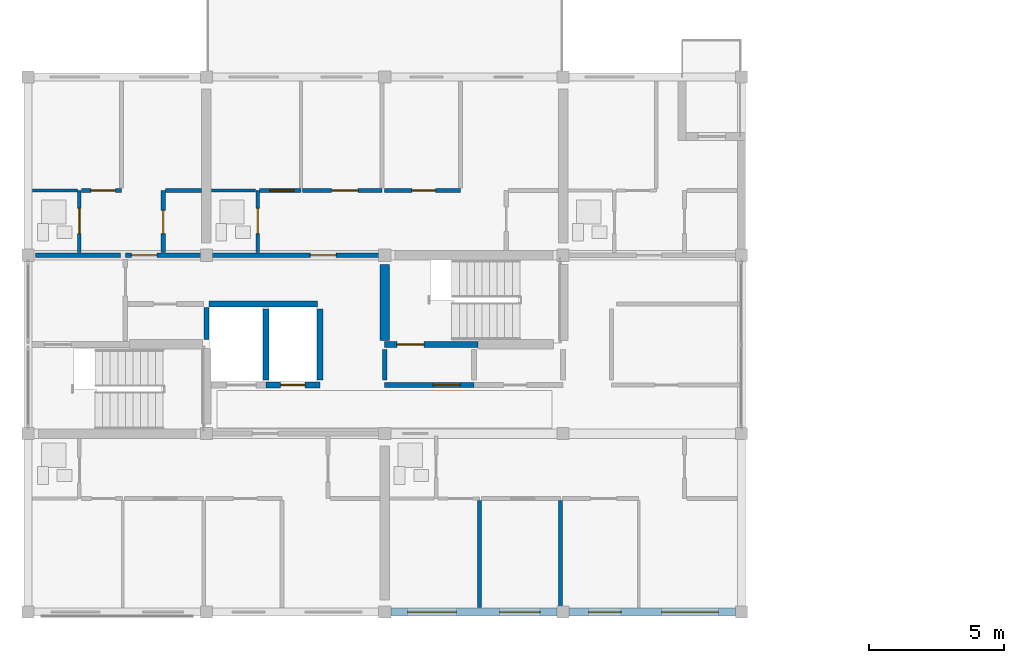
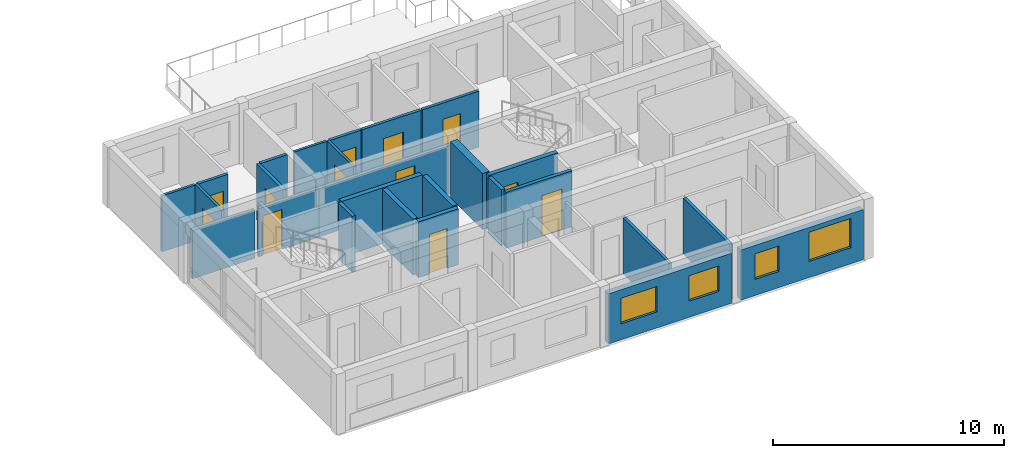
# One storey, part 27 of 51: 26 walls, 12 doors, 4 windows, 16 openings.
"""IFC4 building model written with IfcOpenShell, lengths in metres."""

from ifc_helpers import new_model, si_unit, direction, frame, frame_2d, origin, place, context, subcontext, project, spatial, rectangle, extrude, material, layer, layer_set, type_object, element, fill, save


model = new_model("IFC4")

# Units and contexts
model_context = context("Model", 3, precision=1e-05, world=origin(), true_north=direction((0.0, 1.0)))
body_context = subcontext(model_context, "Body", "Model", "MODEL_VIEW")
ifc_project = project(units=[si_unit("LENGTHUNIT", "METRE"), si_unit("AREAUNIT", "SQUARE_METRE"), si_unit("VOLUMEUNIT", "CUBIC_METRE"), si_unit("PLANEANGLEUNIT", "RADIAN"), si_unit("MASSUNIT", "GRAM", prefix="KILO")], contexts=[model_context])

# Site, building, storey
site_placement = place(None, origin())
site = spatial("IfcSite", under=ifc_project, at=site_placement, CompositionType="ELEMENT")
building_placement = place(site_placement, origin())
building = spatial("IfcBuilding", under=site, at=building_placement, Name="Kernevlak Ridge Housing Community", CompositionType="ELEMENT")
storey_placement = place(building_placement, frame((0.0, 0.0, 8.39990234375)))
storey = spatial("IfcBuildingStorey", under=building, at=storey_placement, Name="L02", CompositionType="ELEMENT", Elevation=8.39990234375)

# Wall, openings, windows
ifc_material_1 = material(Name="Concrete block masonry M10", Category="masonry")
ifc_layer_1 = layer(ifc_material_1, 0.300048828125, Name="Concrete block masonry M10")
ifc_layer_set_1 = layer_set([ifc_layer_1], Name="Concrete block masonry M10")
wall_type_1 = type_object("IfcWallType", Name="EW-01", PredefinedType="STANDARD", material=ifc_layer_set_1)
wall_1_placement = place(storey_placement, frame((29.02490234375, 15.60009765625, 0.0), z_axis=(0.0, 0.0, 1.0), x_axis=(1.0, 0.0, 0.0)))
wall_1 = element("IfcWall", 1, at=wall_1_placement, inside=storey, type_object=wall_type_1, Name="Exterior wall EW-01 L02 741", PredefinedType="STANDARD", context=body_context, shape_type="SweptSolid", body=[
    extrude(rectangle(XDim=6.150146484375, YDim=0.300048828125, at=frame_2d((3.0751953125, 0.0))), origin(), (0.0, 0.0, 1.0), 2.650146484375),
])
opening_1_placement = place(wall_1_placement, frame((0.625, 0.0, 0.85009765625)))
opening_1 = element("IfcOpeningElement", 2, at=opening_1_placement, cuts=wall_1, Name="Opening WT-03", PredefinedType="OPENING", context=body_context, shape_type="SweptSolid", body=[
    extrude(rectangle(XDim=1.800048828125, YDim=1.35009765625, at=frame_2d((0.89990234375, 0.675048828125))), frame((0.0, 0.159912109375, 0.0), z_axis=(0.0, -1.0, 0.0), x_axis=(1.0, 0.0, 0.0)), (0.0, 0.0, 1.0), 0.320068359375),
])
opening_2_placement = place(wall_1_placement, frame((4.02490234375, 0.0, 0.85009765625)))
opening_2 = element("IfcOpeningElement", 3, at=opening_2_placement, cuts=wall_1, Name="Opening WT-02", PredefinedType="OPENING", context=body_context, shape_type="SweptSolid", body=[
    extrude(rectangle(XDim=1.5, YDim=1.35009765625, at=frame_2d((0.75, 0.675048828125))), frame((0.0, 0.159912109375, 0.0), z_axis=(0.0, -1.0, 0.0), x_axis=(1.0, 0.0, 0.0)), (0.0, 0.0, 1.0), 0.320068359375),
])
ifc_material_2 = material(Name="Aluminium EN AW-6060 anodised and laminated glass", Category="aluminium")
window_type_1 = type_object("IfcWindowType", Name="WT-02", PartitioningType="SINGLE_PANEL", PredefinedType="WINDOW", material=ifc_material_2)
window_1_placement = place(opening_2_placement, origin())
window_1 = element("IfcWindow", 4, at=window_1_placement, inside=storey, type_object=window_type_1, Name="Window WT-02 L02 611", OverallHeight=1.35009765625, OverallWidth=1.5, PartitioningType="SINGLE_PANEL", PredefinedType="WINDOW", context=body_context, shape_type="SweptSolid", body=[
    extrude(rectangle(XDim=1.5, YDim=1.35009765625, at=frame_2d((0.75, 0.675048828125))), frame((0.0, 0.030029296875, 0.0), z_axis=(0.0, -1.0, 0.0), x_axis=(1.0, 0.0, 0.0)), (0.0, 0.0, 1.0), 0.06005859375),
])
fill(opening_2, window_1)
window_type_2 = type_object("IfcWindowType", Name="WT-03", PartitioningType="SINGLE_PANEL", PredefinedType="WINDOW", material=ifc_material_2)
window_2_placement = place(opening_1_placement, origin())
window_2 = element("IfcWindow", 5, at=window_2_placement, inside=storey, type_object=window_type_2, Name="Window WT-03 L02 610", OverallHeight=1.35009765625, OverallWidth=1.800048828125, PartitioningType="SINGLE_PANEL", PredefinedType="WINDOW", context=body_context, shape_type="SweptSolid", body=[
    extrude(rectangle(XDim=1.800048828125, YDim=1.35009765625, at=frame_2d((0.89990234375, 0.675048828125))), frame((0.0, 0.030029296875, 0.0), z_axis=(0.0, -1.0, 0.0), x_axis=(1.0, 0.0, 0.0)), (0.0, 0.0, 1.0), 0.06005859375),
])
fill(opening_1, window_2)

wall_2_placement = place(storey_placement, frame((35.625, 15.60009765625, 0.0), z_axis=(0.0, 0.0, 1.0), x_axis=(1.0, 0.0, 0.0)))
wall_2 = element("IfcWall", 6, at=wall_2_placement, inside=storey, type_object=wall_type_1, Name="Exterior wall EW-01 L02 742", PredefinedType="STANDARD", context=body_context, shape_type="SweptSolid", body=[
    extrude(rectangle(XDim=6.14990234375, YDim=0.300048828125, at=frame_2d((3.074951171875, 0.0))), origin(), (0.0, 0.0, 1.0), 2.650146484375),
])
opening_3_placement = place(wall_2_placement, frame((0.72509765625, 0.0, 0.85009765625)))
opening_3 = element("IfcOpeningElement", 7, at=opening_3_placement, cuts=wall_2, Name="Opening WT-01", PredefinedType="OPENING", context=body_context, shape_type="SweptSolid", body=[
    extrude(rectangle(XDim=1.199951171875, YDim=1.35009765625, at=frame_2d((0.60009765625, 0.675048828125))), frame((0.0, 0.159912109375, 0.0), z_axis=(0.0, -1.0, 0.0), x_axis=(1.0, 0.0, 0.0)), (0.0, 0.0, 1.0), 0.320068359375),
])
opening_4_placement = place(wall_2_placement, frame((3.425048828125, 0.0, 0.85009765625)))
opening_4 = element("IfcOpeningElement", 8, at=opening_4_placement, cuts=wall_2, Name="Opening WT-05", PredefinedType="OPENING", context=body_context, shape_type="SweptSolid", body=[
    extrude(rectangle(XDim=2.10009765625, YDim=1.550048828125, at=frame_2d((1.050048828125, 0.77490234375))), frame((0.0, 0.159912109375, 0.0), z_axis=(0.0, -1.0, 0.0), x_axis=(1.0, 0.0, 0.0)), (0.0, 0.0, 1.0), 0.320068359375),
])
window_type_3 = type_object("IfcWindowType", Name="WT-01", PartitioningType="SINGLE_PANEL", PredefinedType="WINDOW", material=ifc_material_2)
window_3_placement = place(opening_3_placement, origin())
window_3 = element("IfcWindow", 9, at=window_3_placement, inside=storey, type_object=window_type_3, Name="Window WT-01 L02 612", OverallHeight=1.35009765625, OverallWidth=1.199951171875, PartitioningType="SINGLE_PANEL", PredefinedType="WINDOW", context=body_context, shape_type="SweptSolid", body=[
    extrude(rectangle(XDim=1.199951171875, YDim=1.35009765625, at=frame_2d((0.60009765625, 0.675048828125))), frame((0.0, 0.030029296875, 0.0), z_axis=(0.0, -1.0, 0.0), x_axis=(1.0, 0.0, 0.0)), (0.0, 0.0, 1.0), 0.06005859375),
])
fill(opening_3, window_3)
window_type_4 = type_object("IfcWindowType", Name="WT-05", PartitioningType="SINGLE_PANEL", PredefinedType="WINDOW", material=ifc_material_2)
window_4_placement = place(opening_4_placement, origin())
window_4 = element("IfcWindow", 10, at=window_4_placement, inside=storey, type_object=window_type_4, Name="Window WT-05 L02 613", OverallHeight=1.550048828125, OverallWidth=2.10009765625, PartitioningType="SINGLE_PANEL", PredefinedType="WINDOW", context=body_context, shape_type="SweptSolid", body=[
    extrude(rectangle(XDim=2.10009765625, YDim=1.550048828125, at=frame_2d((1.050048828125, 0.77490234375))), frame((0.0, 0.030029296875, 0.0), z_axis=(0.0, -1.0, 0.0), x_axis=(1.0, 0.0, 0.0)), (0.0, 0.0, 1.0), 0.06005859375),
])
fill(opening_4, window_4)

# Wall, opening, door
ifc_material_3 = material(Name="Concrete C35/45", Category="concrete")
ifc_layer_2 = layer(ifc_material_3, 0.22509765625, Name="Concrete C35/45")
ifc_layer_set_2 = layer_set([ifc_layer_2], Name="Concrete C35/45")
wall_type_2 = type_object("IfcWallType", Name="PW-01", PredefinedType="STANDARD", material=ifc_layer_set_2)
wall_3_placement = place(storey_placement, frame((24.39990234375, 24.0, 0.0), z_axis=(0.0, 0.0, 1.0), x_axis=(1.0, 0.0, 0.0)))
wall_3 = element("IfcWall", 11, at=wall_3_placement, inside=storey, type_object=wall_type_2, Name="Interior wall PW-01 WAL-INT-L02-3046", PredefinedType="STANDARD", context=body_context, shape_type="SweptSolid", body=[
    extrude(rectangle(XDim=2.0, YDim=0.22509765625, at=frame_2d((1.0, 0.0))), origin(), (0.0, 0.0, 1.0), 2.960205078125),
])
opening_5_placement = place(wall_3_placement, frame((0.550048828125, 0.0, 0.0)))
opening_5 = element("IfcOpeningElement", 12, at=opening_5_placement, cuts=wall_3, Name="Opening LD83", PredefinedType="OPENING", context=body_context, shape_type="SweptSolid", body=[
    extrude(rectangle(XDim=0.89990234375, YDim=2.10009765625, at=frame_2d((0.449951171875, 1.050048828125))), frame((0.0, 0.12255859375, 0.0), z_axis=(0.0, -1.0, 0.0), x_axis=(1.0, 0.0, 0.0)), (0.0, 0.0, 1.0), 0.2451171875),
])
ifc_material_4 = material(Name="Stainless steel EN 1.4401", Category="steel")
door_type_1 = type_object("IfcDoorType", Name="DT-LD2", OperationType="DOUBLE_DOOR_SLIDING", PredefinedType="DOOR", material=ifc_material_4)
door_1_placement = place(opening_5_placement, origin())
door_1 = element("IfcDoor", 13, at=door_1_placement, inside=storey, type_object=door_type_1, Name="Lift LF-D2 landing door LD83", OperationType="DOUBLE_DOOR_SLIDING", OverallHeight=2.10009765625, OverallWidth=0.89990234375, PredefinedType="DOOR", context=body_context, shape_type="SweptSolid", body=[
    extrude(rectangle(XDim=0.89990234375, YDim=2.10009765625, at=frame_2d((0.449951171875, 1.050048828125))), frame((0.0, 0.02490234375, 0.0), z_axis=(0.0, -1.0, 0.0), x_axis=(1.0, 0.0, 0.0)), (0.0, 0.0, 1.0), 0.050048828125),
])
fill(opening_5, door_1)

# Walls
wall_4_placement = place(storey_placement, frame((22.297607421875, 27.0, 0.0), z_axis=(0.0, 0.0, 1.0), x_axis=(1.0, 0.0, 0.0)))
element("IfcWall", 14, at=wall_4_placement, inside=storey, type_object=wall_type_2, Name="Interior wall PW-01 WAL-INT-L02-3047", PredefinedType="STANDARD", context=body_context, shape_type="SweptSolid", body=[
    extrude(rectangle(XDim=4.0224609375, YDim=0.22509765625, at=frame_2d((2.01123046875, 0.0))), origin(), (0.0, 0.0, 1.0), 2.960205078125),
])
for number, where, z_axis, x_axis, name in (
    (15, (24.39990234375, 24.179931640625, 0.0), (0.0, 0.0, 1.0), (0.0, 1.0, 0.0), "Interior wall PW-01 WAL-INT-L02-3049"),
    (16, (26.39990234375, 24.179931640625, 0.0), (0.0, 0.0, 1.0), (0.0, 1.0, 0.0), "Interior wall PW-01 WAL-INT-L02-3050"),
):
    element("IfcWall", number, at=place(storey_placement, frame(where, z_axis=z_axis, x_axis=x_axis)), inside=storey, type_object=wall_type_2, Name=name, PredefinedType="STANDARD", context=body_context, shape_type="SweptSolid", body=[
        extrude(rectangle(XDim=2.64013671875, YDim=0.22509765625, at=frame_2d((1.320068359375, 0.0))), origin(), (0.0, 0.0, 1.0), 2.960205078125),
    ])

# Wall, opening, door
wall_5_placement = place(storey_placement, frame((28.800048828125, 25.5, 0.0), z_axis=(0.0, 0.0, 1.0), x_axis=(1.0, 0.0, 0.0)))
wall_5 = element("IfcWall", 17, at=wall_5_placement, inside=storey, type_object=wall_type_2, Name="Interior wall PW-01 WAL-INT-L02-3051", PredefinedType="STANDARD", context=body_context, shape_type="SweptSolid", body=[
    extrude(rectangle(XDim=3.449951171875, YDim=0.22509765625, at=frame_2d((1.72509765625, 0.0))), origin(), (0.0, 0.0, 1.0), 2.960205078125),
])
opening_6_placement = place(wall_5_placement, frame((0.449951171875, 0.0, 0.0)))
opening_6 = element("IfcOpeningElement", 18, at=opening_6_placement, cuts=wall_5, Name="Opening E545", PredefinedType="OPENING", context=body_context, shape_type="SweptSolid", body=[
    extrude(rectangle(XDim=1.0, YDim=2.10009765625, at=frame_2d((0.5, 1.050048828125))), frame((0.0, 0.12255859375, 0.0), z_axis=(0.0, -1.0, 0.0), x_axis=(1.0, 0.0, 0.0)), (0.0, 0.0, 1.0), 0.2451171875),
])
ifc_material_5 = material(Name="Fire-rated sheet steel leaf", Category="steel")
door_type_2 = type_object("IfcDoorType", Name="DT-05", OperationType="NOTDEFINED", PredefinedType="DOOR", material=ifc_material_5)
door_2_placement = place(opening_6_placement, origin())
door_2 = element("IfcDoor", 19, at=door_2_placement, inside=storey, type_object=door_type_2, Name="Block D Stair 2 fire door E545", OperationType="SINGLE_SWING_RIGHT", OverallHeight=2.10009765625, OverallWidth=1.0, PredefinedType="DOOR", context=body_context, shape_type="SweptSolid", body=[
    extrude(rectangle(XDim=1.0, YDim=2.10009765625, at=frame_2d((0.5, 1.050048828125))), frame((0.0, 0.02490234375, 0.0), z_axis=(0.0, -1.0, 0.0), x_axis=(1.0, 0.0, 0.0)), (0.0, 0.0, 1.0), 0.050048828125),
])
fill(opening_6, door_2)

# Wall
ifc_layer_3 = layer(ifc_material_1, 0.175048828125, Name="Concrete block masonry M10")
ifc_layer_set_3 = layer_set([ifc_layer_3], Name="Concrete block masonry M10")
wall_type_3 = type_object("IfcWallType", Name="PW-02", PredefinedType="PARTITIONING", material=ifc_layer_set_3)
wall_6_placement = place(storey_placement, frame((22.199951171875, 25.679931640625, 0.0), z_axis=(0.0, 0.0, 1.0), x_axis=(0.0, 1.0, 0.0)))
element("IfcWall", 20, at=wall_6_placement, inside=storey, type_object=wall_type_3, Name="Interior wall PW-02 WAL-INT-L02-3044", PredefinedType="PARTITIONING", context=body_context, shape_type="SweptSolid", body=[
    extrude(rectangle(XDim=1.190185546875, YDim=0.175048828125, at=frame_2d((0.59521484375, 0.0))), origin(), (0.0, 0.0, 1.0), 2.960205078125),
])

# Wall, opening, door
wall_7_placement = place(storey_placement, frame((28.800048828125, 24.0, 0.0), z_axis=(0.0, 0.0, 1.0), x_axis=(1.0, 0.0, 0.0)))
wall_7 = element("IfcWall", 21, at=wall_7_placement, inside=storey, type_object=wall_type_3, Name="Interior wall PW-02 WAL-INT-L02-3052", PredefinedType="PARTITIONING", context=body_context, shape_type="SweptSolid", body=[
    extrude(rectangle(XDim=3.300048828125, YDim=0.175048828125, at=frame_2d((1.64990234375, 0.0))), origin(), (0.0, 0.0, 1.0), 2.960205078125),
])
opening_7_placement = place(wall_7_placement, frame((1.800048828125, 0.0, 0.0)))
opening_7 = element("IfcOpeningElement", 22, at=opening_7_placement, cuts=wall_7, Name="Opening E546", PredefinedType="OPENING", context=body_context, shape_type="SweptSolid", body=[
    extrude(rectangle(XDim=1.0, YDim=2.159912109375, at=frame_2d((0.5, 1.080078125))), frame((0.0, 0.097412109375, 0.0), z_axis=(0.0, -1.0, 0.0), x_axis=(1.0, 0.0, 0.0)), (0.0, 0.0, 1.0), 0.195068359375),
])
door_type_3 = type_object("IfcDoorType", Name="DT-15", OperationType="NOTDEFINED", PredefinedType="DOOR", material=ifc_material_5)
door_3_placement = place(opening_7_placement, origin())
door_3 = element("IfcDoor", 23, at=door_3_placement, inside=storey, type_object=door_type_3, Name="Block D Firefighting lobby 2 door E546", OperationType="SINGLE_SWING_LEFT", OverallHeight=2.159912109375, OverallWidth=1.0, PredefinedType="DOOR", context=body_context, shape_type="SweptSolid", body=[
    extrude(rectangle(XDim=1.0, YDim=2.159912109375, at=frame_2d((0.5, 1.080078125))), frame((0.0, 0.02490234375, 0.0), z_axis=(0.0, -1.0, 0.0), x_axis=(1.0, 0.0, 0.0)), (0.0, 0.0, 1.0), 0.050048828125),
])
fill(opening_7, door_3)

# Walls
wall_8_placement = place(storey_placement, frame((28.800048828125, 24.179931640625, 0.0), z_axis=(0.0, 0.0, 1.0), x_axis=(0.0, 1.0, 0.0)))
element("IfcWall", 24, at=wall_8_placement, inside=storey, type_object=wall_type_3, Name="Interior wall PW-02 WAL-INT-L02-3054", PredefinedType="PARTITIONING", context=body_context, shape_type="SweptSolid", body=[
    extrude(rectangle(XDim=1.14013671875, YDim=0.175048828125, at=frame_2d((0.570068359375, 0.0))), origin(), (0.0, 0.0, 1.0), 2.960205078125),
])
wall_9_placement = place(storey_placement, frame((15.8798828125, 28.800048828125, 0.0), z_axis=(0.0, 0.0, 1.0), x_axis=(1.0, 0.0, 0.0)))
element("IfcWall", 25, at=wall_9_placement, inside=storey, type_object=wall_type_3, Name="Interior wall PW-02 WAL-INT-L02-3082", PredefinedType="PARTITIONING", context=body_context, shape_type="SweptSolid", body=[
    extrude(rectangle(XDim=3.14013671875, YDim=0.175048828125, at=frame_2d((1.570068359375, 0.0))), origin(), (0.0, 0.0, 1.0), 2.550048828125),
])

# Wall, opening, door
wall_10_placement = place(storey_placement, frame((19.199951171875, 28.800048828125, 0.0), z_axis=(0.0, 0.0, 1.0), x_axis=(1.0, 0.0, 0.0)))
wall_10 = element("IfcWall", 26, at=wall_10_placement, inside=storey, type_object=wall_type_3, Name="Interior wall PW-02 WAL-INT-L02-3083", PredefinedType="PARTITIONING", context=body_context, shape_type="SweptSolid", body=[
    extrude(rectangle(XDim=3.0, YDim=0.175048828125, at=frame_2d((1.5, 0.0))), origin(), (0.0, 0.0, 1.0), 2.550048828125),
])
opening_8_placement = place(wall_10_placement, frame((0.219970703125, 0.0, 0.0)))
opening_8 = element("IfcOpeningElement", 27, at=opening_8_placement, cuts=wall_10, Name="Opening E561", PredefinedType="OPENING", context=body_context, shape_type="SweptSolid", body=[
    extrude(rectangle(XDim=0.949951171875, YDim=2.10009765625, at=frame_2d((0.47509765625, 1.050048828125))), frame((0.0, 0.097412109375, 0.0), z_axis=(0.0, -1.0, 0.0), x_axis=(1.0, 0.0, 0.0)), (0.0, 0.0, 1.0), 0.195068359375),
])
ifc_material_6 = material(Name="Hardwood timber solid-core fire leaf", Category="wood")
door_type_4 = type_object("IfcDoorType", Name="DT-01", OperationType="NOTDEFINED", PredefinedType="DOOR", material=ifc_material_6)
door_4_placement = place(opening_8_placement, origin())
door_4 = element("IfcDoor", 28, at=door_4_placement, inside=storey, type_object=door_type_4, Name="Flat D0221 entrance fire door E561", OperationType="SINGLE_SWING_RIGHT", OverallHeight=2.10009765625, OverallWidth=0.949951171875, PredefinedType="DOOR", context=body_context, shape_type="SweptSolid", body=[
    extrude(rectangle(XDim=0.949951171875, YDim=2.10009765625, at=frame_2d((0.47509765625, 1.050048828125))), frame((0.0, 0.02490234375, 0.0), z_axis=(0.0, -1.0, 0.0), x_axis=(1.0, 0.0, 0.0)), (0.0, 0.0, 1.0), 0.050048828125),
])
fill(opening_8, door_4)

wall_11_placement = place(storey_placement, frame((22.199951171875, 28.800048828125, 0.0), z_axis=(0.0, 0.0, 1.0), x_axis=(1.0, 0.0, 0.0)))
wall_11 = element("IfcWall", 29, at=wall_11_placement, inside=storey, type_object=wall_type_3, Name="Interior wall PW-02 WAL-INT-L02-3090", PredefinedType="PARTITIONING", context=body_context, shape_type="SweptSolid", body=[
    extrude(rectangle(XDim=6.60009765625, YDim=0.175048828125, at=frame_2d((3.300048828125, 0.0))), origin(), (0.0, 0.0, 1.0), 2.550048828125),
])
opening_9_placement = place(wall_11_placement, frame((3.85009765625, 0.0, 0.0)))
opening_9 = element("IfcOpeningElement", 30, at=opening_9_placement, cuts=wall_11, Name="Opening E565", PredefinedType="OPENING", context=body_context, shape_type="SweptSolid", body=[
    extrude(rectangle(XDim=0.949951171875, YDim=2.10009765625, at=frame_2d((0.47509765625, 1.050048828125))), frame((0.0, 0.097412109375, 0.0), z_axis=(0.0, -1.0, 0.0), x_axis=(1.0, 0.0, 0.0)), (0.0, 0.0, 1.0), 0.195068359375),
])
door_5_placement = place(opening_9_placement, origin())
door_5 = element("IfcDoor", 31, at=door_5_placement, inside=storey, type_object=door_type_4, Name="Flat D0222 entrance fire door E565", OperationType="SINGLE_SWING_RIGHT", OverallHeight=2.10009765625, OverallWidth=0.949951171875, PredefinedType="DOOR", context=body_context, shape_type="SweptSolid", body=[
    extrude(rectangle(XDim=0.949951171875, YDim=2.10009765625, at=frame_2d((0.47509765625, 1.050048828125))), frame((0.0, 0.02490234375, 0.0), z_axis=(0.0, -1.0, 0.0), x_axis=(1.0, 0.0, 0.0)), (0.0, 0.0, 1.0), 0.050048828125),
])
fill(opening_9, door_5)

# Walls
ifc_layer_4 = layer(ifc_material_1, 0.14501953125, Name="Concrete block masonry M10")
ifc_layer_set_4 = layer_set([ifc_layer_4], Name="Concrete block masonry M10")
wall_type_4 = type_object("IfcWallType", Name="PW-03", PredefinedType="PARTITIONING", material=ifc_layer_set_4)
wall_12_placement = place(storey_placement, frame((32.300048828125, 19.719970703125, 0.0), z_axis=(0.0, 0.0, 1.0), x_axis=(0.0, -1.0, 0.0)))
element("IfcWall", 32, at=wall_12_placement, inside=storey, type_object=wall_type_4, Name="Interior wall PW-03 WAL-INT-L02-3077", PredefinedType="PARTITIONING", context=body_context, shape_type="SweptSolid", body=[
    extrude(rectangle(XDim=3.9599609375, YDim=0.14501953125, at=frame_2d((1.97998046875, 0.0))), origin(), (0.0, 0.0, 1.0), 2.960205078125),
])
wall_13_placement = place(storey_placement, frame((35.300048828125, 19.717529296875, 0.0), z_axis=(0.0, 0.0, 1.0), x_axis=(0.0, -1.0, 0.0)))
element("IfcWall", 33, at=wall_13_placement, inside=storey, type_object=wall_type_4, Name="Interior wall PW-03 WAL-INT-L02-3079", PredefinedType="PARTITIONING", context=body_context, shape_type="SweptSolid", body=[
    extrude(rectangle(XDim=4.03759765625, YDim=0.14501953125, at=frame_2d((2.018798828125, 0.0))), origin(), (0.0, 0.0, 1.0), 2.960205078125),
])

# Wall, opening, door
wall_14_placement = place(storey_placement, frame((17.572509765625, 31.199951171875, 0.0), z_axis=(0.0, 0.0, 1.0), x_axis=(1.0, 0.0, 0.0)))
wall_14 = element("IfcWall", 34, at=wall_14_placement, inside=storey, type_object=wall_type_4, Name="Interior wall PW-03 WAL-INT-L02-3088", PredefinedType="PARTITIONING", context=body_context, shape_type="SweptSolid", body=[
    extrude(rectangle(XDim=1.4775390625, YDim=0.14501953125, at=frame_2d((0.73876953125, 0.0))), origin(), (0.0, 0.0, 1.0), 2.960205078125),
])
opening_10_placement = place(wall_14_placement, frame((0.35009765625, 0.0, 0.0)))
opening_10 = element("IfcOpeningElement", 35, at=opening_10_placement, cuts=wall_14, Name="Opening E564", PredefinedType="OPENING", context=body_context, shape_type="SweptSolid", body=[
    extrude(rectangle(XDim=0.909912109375, YDim=2.139892578125, at=frame_2d((0.455078125, 1.06982421875))), frame((0.0, 0.08251953125, 0.0), z_axis=(0.0, -1.0, 0.0), x_axis=(1.0, 0.0, 0.0)), (0.0, 0.0, 1.0), 0.1650390625),
])
ifc_material_7 = material(Name="Hardwood timber leaf", Category="wood")
door_type_5 = type_object("IfcDoorType", Name="DT-31", OperationType="NOTDEFINED", PredefinedType="DOOR", material=ifc_material_7)
door_6_placement = place(opening_10_placement, origin())
door_6 = element("IfcDoor", 36, at=door_6_placement, inside=storey, type_object=door_type_5, Name="Flat D0221 bedroom door E564", OperationType="SINGLE_SWING_LEFT", OverallHeight=2.139892578125, OverallWidth=0.909912109375, PredefinedType="DOOR", context=body_context, shape_type="SweptSolid", body=[
    extrude(rectangle(XDim=0.909912109375, YDim=2.139892578125, at=frame_2d((0.455078125, 1.06982421875))), frame((0.0, 0.02490234375, 0.0), z_axis=(0.0, -1.0, 0.0), x_axis=(1.0, 0.0, 0.0)), (0.0, 0.0, 1.0), 0.050048828125),
])
fill(opening_10, door_6)

wall_15_placement = place(storey_placement, frame((24.172607421875, 31.199951171875, 0.0), z_axis=(0.0, 0.0, 1.0), x_axis=(1.0, 0.0, 0.0)))
wall_15 = element("IfcWall", 37, at=wall_15_placement, inside=storey, type_object=wall_type_4, Name="Interior wall PW-03 WAL-INT-L02-3095", PredefinedType="PARTITIONING", context=body_context, shape_type="SweptSolid", body=[
    extrude(rectangle(XDim=1.52734375, YDim=0.14501953125, at=frame_2d((0.763671875, 0.0))), origin(), (0.0, 0.0, 1.0), 2.960205078125),
])
opening_11_placement = place(wall_15_placement, frame((0.375, 0.0, 0.0)))
opening_11 = element("IfcOpeningElement", 38, at=opening_11_placement, cuts=wall_15, Name="Opening E568", PredefinedType="OPENING", context=body_context, shape_type="SweptSolid", body=[
    extrude(rectangle(XDim=0.89990234375, YDim=2.159912109375, at=frame_2d((0.449951171875, 1.080078125))), frame((0.0, 0.08251953125, 0.0), z_axis=(0.0, -1.0, 0.0), x_axis=(1.0, 0.0, 0.0)), (0.0, 0.0, 1.0), 0.1650390625),
])
door_type_6 = type_object("IfcDoorType", Name="DT-22", OperationType="NOTDEFINED", PredefinedType="DOOR", material=ifc_material_7)
door_7_placement = place(opening_11_placement, origin())
door_7 = element("IfcDoor", 39, at=door_7_placement, inside=storey, type_object=door_type_6, Name="Flat D0222 bedroom door E568", OperationType="SINGLE_SWING_LEFT", OverallHeight=2.159912109375, OverallWidth=0.89990234375, PredefinedType="DOOR", context=body_context, shape_type="SweptSolid", body=[
    extrude(rectangle(XDim=0.89990234375, YDim=2.159912109375, at=frame_2d((0.449951171875, 1.080078125))), frame((0.0, 0.02490234375, 0.0), z_axis=(0.0, -1.0, 0.0), x_axis=(1.0, 0.0, 0.0)), (0.0, 0.0, 1.0), 0.050048828125),
])
fill(opening_11, door_7)

wall_16_placement = place(storey_placement, frame((25.762451171875, 31.199951171875, 0.0), z_axis=(0.0, 0.0, 1.0), x_axis=(1.0, 0.0, 0.0)))
wall_16 = element("IfcWall", 40, at=wall_16_placement, inside=storey, type_object=wall_type_4, Name="Interior wall PW-03 WAL-INT-L02-3097", PredefinedType="PARTITIONING", context=body_context, shape_type="SweptSolid", body=[
    extrude(rectangle(XDim=2.9375, YDim=0.14501953125, at=frame_2d((1.46875, 0.0))), origin(), (0.0, 0.0, 1.0), 2.960205078125),
])
opening_12_placement = place(wall_16_placement, frame((1.074951171875, 0.0, 0.0)))
opening_12 = element("IfcOpeningElement", 41, at=opening_12_placement, cuts=wall_16, Name="Opening E569", PredefinedType="OPENING", context=body_context, shape_type="SweptSolid", body=[
    extrude(rectangle(XDim=0.97998046875, YDim=2.1201171875, at=frame_2d((0.489990234375, 1.06005859375))), frame((0.0, 0.08251953125, 0.0), z_axis=(0.0, -1.0, 0.0), x_axis=(1.0, 0.0, 0.0)), (0.0, 0.0, 1.0), 0.1650390625),
])
door_type_7 = type_object("IfcDoorType", Name="DT-24", OperationType="NOTDEFINED", PredefinedType="DOOR", material=ifc_material_7)
door_8_placement = place(opening_12_placement, origin())
door_8 = element("IfcDoor", 42, at=door_8_placement, inside=storey, type_object=door_type_7, Name="Flat D0222 bedroom door E569", OperationType="SINGLE_SWING_RIGHT", OverallHeight=2.1201171875, OverallWidth=0.97998046875, PredefinedType="DOOR", context=body_context, shape_type="SweptSolid", body=[
    extrude(rectangle(XDim=0.97998046875, YDim=2.1201171875, at=frame_2d((0.489990234375, 1.06005859375))), frame((0.0, 0.02490234375, 0.0), z_axis=(0.0, -1.0, 0.0), x_axis=(1.0, 0.0, 0.0)), (0.0, 0.0, 1.0), 0.050048828125),
])
fill(opening_12, door_8)

wall_17_placement = place(storey_placement, frame((28.782470703125, 31.199951171875, 0.0), z_axis=(0.0, 0.0, 1.0), x_axis=(1.0, 0.0, 0.0)))
wall_17 = element("IfcWall", 43, at=wall_17_placement, inside=storey, type_object=wall_type_4, Name="Interior wall PW-03 WAL-INT-L02-3099", PredefinedType="PARTITIONING", context=body_context, shape_type="SweptSolid", body=[
    extrude(rectangle(XDim=2.817626953125, YDim=0.14501953125, at=frame_2d((1.40869140625, 0.0))), origin(), (0.0, 0.0, 1.0), 2.960205078125),
])
opening_13_placement = place(wall_17_placement, frame((1.02490234375, 0.0, 0.0)))
opening_13 = element("IfcOpeningElement", 44, at=opening_13_placement, cuts=wall_17, Name="Opening E570", PredefinedType="OPENING", context=body_context, shape_type="SweptSolid", body=[
    extrude(rectangle(XDim=0.8798828125, YDim=2.10009765625, at=frame_2d((0.43994140625, 1.050048828125))), frame((0.0, 0.08251953125, 0.0), z_axis=(0.0, -1.0, 0.0), x_axis=(1.0, 0.0, 0.0)), (0.0, 0.0, 1.0), 0.1650390625),
])
door_type_8 = type_object("IfcDoorType", Name="DT-25", OperationType="NOTDEFINED", PredefinedType="DOOR", material=ifc_material_7)
door_9_placement = place(opening_13_placement, origin())
door_9 = element("IfcDoor", 45, at=door_9_placement, inside=storey, type_object=door_type_8, Name="Flat D0222 bedroom door E570", OperationType="SINGLE_SWING_LEFT", OverallHeight=2.10009765625, OverallWidth=0.8798828125, PredefinedType="DOOR", context=body_context, shape_type="SweptSolid", body=[
    extrude(rectangle(XDim=0.8798828125, YDim=2.10009765625, at=frame_2d((0.43994140625, 1.050048828125))), frame((0.0, 0.02490234375, 0.0), z_axis=(0.0, -1.0, 0.0), x_axis=(1.0, 0.0, 0.0)), (0.0, 0.0, 1.0), 0.050048828125),
])
fill(opening_13, door_9)

ifc_material_8 = material(Name="Gypsum plasterboard EN 520", Category="gypsum")
ifc_layer_5 = layer(ifc_material_8, 0.125, Name="Gypsum plasterboard EN 520")
ifc_layer_set_5 = layer_set([ifc_layer_5], Name="Gypsum plasterboard EN 520")
wall_type_5 = type_object("IfcWallType", Name="PW-04", PredefinedType="PARTITIONING", material=ifc_layer_set_5)
wall_18_placement = place(storey_placement, frame((17.5, 28.8974609375, 0.0), z_axis=(0.0, 0.0, 1.0), x_axis=(0.0, 1.0, 0.0)))
wall_18 = element("IfcWall", 46, at=wall_18_placement, inside=storey, type_object=wall_type_5, Name="Interior wall PW-04 WAL-INT-L02-3084", PredefinedType="PARTITIONING", context=body_context, shape_type="SweptSolid", body=[
    extrude(rectangle(XDim=2.302490234375, YDim=0.125, at=frame_2d((1.1513671875, 0.0))), origin(), (0.0, 0.0, 1.0), 2.960205078125),
])
opening_14_placement = place(wall_18_placement, frame((0.699951171875, 0.0, 0.0)))
opening_14 = element("IfcOpeningElement", 47, at=opening_14_placement, cuts=wall_18, Name="Opening E562", PredefinedType="OPENING", context=body_context, shape_type="SweptSolid", body=[
    extrude(rectangle(XDim=0.93994140625, YDim=2.080078125, at=frame_2d((0.469970703125, 1.0400390625))), frame((0.0, 0.072509765625, 0.0), z_axis=(0.0, -1.0, 0.0), x_axis=(1.0, 0.0, 0.0)), (0.0, 0.0, 1.0), 0.14501953125),
])
ifc_material_9 = material(Name="Hardwood timber moisture-resistant leaf", Category="wood")
door_type_9 = type_object("IfcDoorType", Name="DT-23", OperationType="NOTDEFINED", PredefinedType="DOOR", material=ifc_material_9)
door_10_placement = place(opening_14_placement, origin())
door_10 = element("IfcDoor", 48, at=door_10_placement, inside=storey, type_object=door_type_9, Name="Flat D0221 bathroom door E562", OperationType="SINGLE_SWING_LEFT", OverallHeight=2.080078125, OverallWidth=0.93994140625, PredefinedType="DOOR", context=body_context, shape_type="SweptSolid", body=[
    extrude(rectangle(XDim=0.93994140625, YDim=2.080078125, at=frame_2d((0.469970703125, 1.0400390625))), frame((0.0, 0.02490234375, 0.0), z_axis=(0.0, -1.0, 0.0), x_axis=(1.0, 0.0, 0.0)), (0.0, 0.0, 1.0), 0.050048828125),
])
fill(opening_14, door_10)

# Wall
wall_19_placement = place(storey_placement, frame((15.760009765625, 31.199951171875, 0.0), z_axis=(0.0, 0.0, 1.0), x_axis=(1.0, 0.0, 0.0)))
element("IfcWall", 49, at=wall_19_placement, inside=storey, type_object=wall_type_5, Name="Interior wall PW-04 WAL-INT-L02-3085", PredefinedType="PARTITIONING", context=body_context, shape_type="SweptSolid", body=[
    extrude(rectangle(XDim=1.659912109375, YDim=0.125, at=frame_2d((0.830078125, 0.0))), origin(), (0.0, 0.0, 1.0), 2.960205078125),
])

# Wall, opening, door
wall_20_placement = place(storey_placement, frame((24.10009765625, 28.8974609375, 0.0), z_axis=(0.0, 0.0, 1.0), x_axis=(0.0, 1.0, 0.0)))
wall_20 = element("IfcWall", 50, at=wall_20_placement, inside=storey, type_object=wall_type_5, Name="Interior wall PW-04 WAL-INT-L02-3091", PredefinedType="PARTITIONING", context=body_context, shape_type="SweptSolid", body=[
    extrude(rectangle(XDim=2.302490234375, YDim=0.125, at=frame_2d((1.1513671875, 0.0))), origin(), (0.0, 0.0, 1.0), 2.960205078125),
])
opening_15_placement = place(wall_20_placement, frame((0.699951171875, 0.0, 0.0)))
opening_15 = element("IfcOpeningElement", 51, at=opening_15_placement, cuts=wall_20, Name="Opening E566", PredefinedType="OPENING", context=body_context, shape_type="SweptSolid", body=[
    extrude(rectangle(XDim=0.93994140625, YDim=2.080078125, at=frame_2d((0.469970703125, 1.0400390625))), frame((0.0, 0.072509765625, 0.0), z_axis=(0.0, -1.0, 0.0), x_axis=(1.0, 0.0, 0.0)), (0.0, 0.0, 1.0), 0.14501953125),
])
door_11_placement = place(opening_15_placement, origin())
door_11 = element("IfcDoor", 52, at=door_11_placement, inside=storey, type_object=door_type_9, Name="Flat D0222 bathroom door E566", OperationType="SINGLE_SWING_LEFT", OverallHeight=2.080078125, OverallWidth=0.93994140625, PredefinedType="DOOR", context=body_context, shape_type="SweptSolid", body=[
    extrude(rectangle(XDim=0.93994140625, YDim=2.080078125, at=frame_2d((0.469970703125, 1.0400390625))), frame((0.0, 0.02490234375, 0.0), z_axis=(0.0, -1.0, 0.0), x_axis=(1.0, 0.0, 0.0)), (0.0, 0.0, 1.0), 0.050048828125),
])
fill(opening_15, door_11)

# Wall
wall_21_placement = place(storey_placement, frame((22.385009765625, 31.199951171875, 0.0), z_axis=(0.0, 0.0, 1.0), x_axis=(1.0, 0.0, 0.0)))
element("IfcWall", 53, at=wall_21_placement, inside=storey, type_object=wall_type_5, Name="Interior wall PW-04 WAL-INT-L02-3092", PredefinedType="PARTITIONING", context=body_context, shape_type="SweptSolid", body=[
    extrude(rectangle(XDim=1.635009765625, YDim=0.125, at=frame_2d((0.8173828125, 0.0))), origin(), (0.0, 0.0, 1.0), 2.960205078125),
])

# Wall, opening, door
ifc_layer_6 = layer(ifc_material_8, 0.155029296875, Name="Gypsum plasterboard EN 520")
ifc_layer_set_6 = layer_set([ifc_layer_6], Name="Gypsum plasterboard EN 520")
wall_type_6 = type_object("IfcWallType", Name="PW-05", PredefinedType="PARTITIONING", material=ifc_layer_set_6)
wall_22_placement = place(storey_placement, frame((20.60009765625, 28.8974609375, 0.0), z_axis=(0.0, 0.0, 1.0), x_axis=(0.0, 1.0, 0.0)))
wall_22 = element("IfcWall", 54, at=wall_22_placement, inside=storey, type_object=wall_type_6, Name="Interior wall PW-05 WAL-INT-L02-3086", PredefinedType="PARTITIONING", context=body_context, shape_type="SweptSolid", body=[
    extrude(rectangle(XDim=2.302490234375, YDim=0.155029296875, at=frame_2d((1.1513671875, 0.0))), origin(), (0.0, 0.0, 1.0), 2.960205078125),
])
opening_16_placement = place(wall_22_placement, frame((0.699951171875, 0.0, 0.0)))
opening_16 = element("IfcOpeningElement", 55, at=opening_16_placement, cuts=wall_22, Name="Opening E563", PredefinedType="OPENING", context=body_context, shape_type="SweptSolid", body=[
    extrude(rectangle(XDim=0.860107421875, YDim=2.1201171875, at=frame_2d((0.43017578125, 1.06005859375))), frame((0.0, 0.08740234375, 0.0), z_axis=(0.0, -1.0, 0.0), x_axis=(1.0, 0.0, 0.0)), (0.0, 0.0, 1.0), 0.175048828125),
])
door_type_10 = type_object("IfcDoorType", Name="DT-28", OperationType="NOTDEFINED", PredefinedType="DOOR", material=ifc_material_7)
door_12_placement = place(opening_16_placement, origin())
door_12 = element("IfcDoor", 56, at=door_12_placement, inside=storey, type_object=door_type_10, Name="Flat D0221 kitchen door E563", OperationType="SINGLE_SWING_RIGHT", OverallHeight=2.1201171875, OverallWidth=0.860107421875, PredefinedType="DOOR", context=body_context, shape_type="SweptSolid", body=[
    extrude(rectangle(XDim=0.860107421875, YDim=2.1201171875, at=frame_2d((0.43017578125, 1.06005859375))), frame((0.0, 0.02490234375, 0.0), z_axis=(0.0, -1.0, 0.0), x_axis=(1.0, 0.0, 0.0)), (0.0, 0.0, 1.0), 0.050048828125),
])
fill(opening_16, door_12)

# Walls
wall_23_placement = place(storey_placement, frame((20.6875, 31.199951171875, 0.0), z_axis=(0.0, 0.0, 1.0), x_axis=(1.0, 0.0, 0.0)))
element("IfcWall", 57, at=wall_23_placement, inside=storey, type_object=wall_type_6, Name="Interior wall PW-05 WAL-INT-L02-3087", PredefinedType="PARTITIONING", context=body_context, shape_type="SweptSolid", body=[
    extrude(rectangle(XDim=1.327392578125, YDim=0.155029296875, at=frame_2d((0.66357421875, 0.0))), origin(), (0.0, 0.0, 1.0), 2.960205078125),
])
ifc_material_10 = material(Name="Concrete C40/50", Category="concrete")
ifc_layer_7 = layer(ifc_material_10, 0.35009765625, Name="Concrete C40/50")
ifc_layer_set_7 = layer_set([ifc_layer_7], Name="Concrete C40/50")
wall_type_7 = type_object("IfcWallType", Name="SW-01", PredefinedType="SHEAR", material=ifc_layer_set_7)
wall_24_placement = place(storey_placement, frame((28.800048828125, 25.64990234375, 0.0), z_axis=(0.0, 0.0, 1.0), x_axis=(0.0, 1.0, 0.0)))
element("IfcWall", 58, at=wall_24_placement, inside=storey, type_object=wall_type_7, Name="Shear wall SW-01 Block D L02 532", PredefinedType="SHEAR", context=body_context, shape_type="SweptSolid", body=[
    extrude(rectangle(XDim=2.800048828125, YDim=0.35009765625, at=frame_2d((1.39990234375, 0.0))), origin(), (0.0, 0.0, 1.0), 2.960205078125),
])

save(model, "model.ifc")
